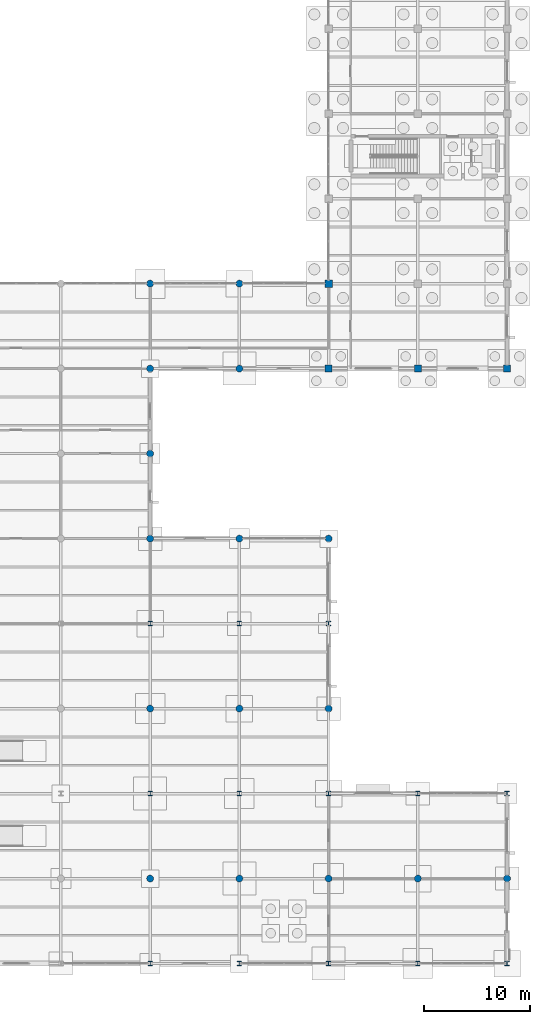
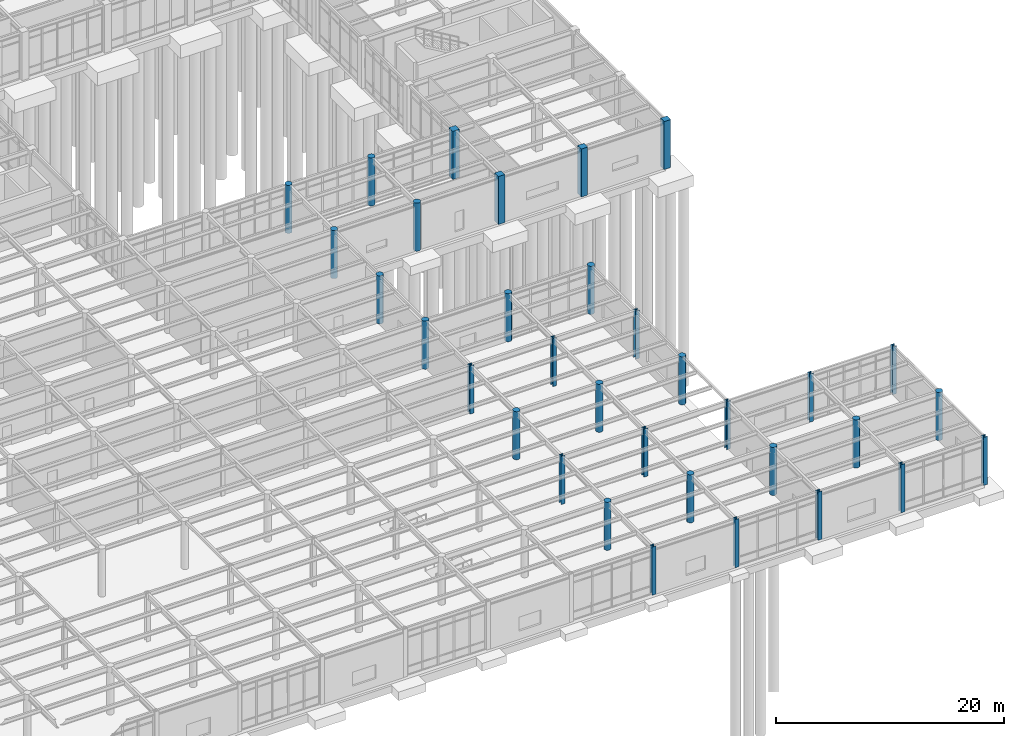
# One storey, part 19 of 138: 33 columns.
"""IFC4 building model written with IfcOpenShell, lengths in metres."""

from ifc_helpers import new_model, si_unit, direction, frame, origin, origin_2d, place, context, subcontext, project, spatial, rectangle, circle, i_section, extrude, material, material_profile, profile_set, type_object, element, save


model = new_model("IFC4")

# Units and contexts
model_context = context("Model", 3, precision=1e-05, world=origin(), true_north=direction((0.0, 1.0)))
body_context = subcontext(model_context, "Body", "Model", "MODEL_VIEW")
ifc_project = project(units=[si_unit("LENGTHUNIT", "METRE"), si_unit("AREAUNIT", "SQUARE_METRE"), si_unit("VOLUMEUNIT", "CUBIC_METRE"), si_unit("PLANEANGLEUNIT", "RADIAN"), si_unit("MASSUNIT", "GRAM", prefix="KILO")], contexts=[model_context])

# Site, building, storey
site_placement = place(None, origin())
site = spatial("IfcSite", under=ifc_project, at=site_placement, CompositionType="ELEMENT")
building_placement = place(site_placement, origin())
building = spatial("IfcBuilding", under=site, at=building_placement, Name="Kranzveld Transit Interchange", CompositionType="ELEMENT")
storey_placement = place(building_placement, origin())
storey = spatial("IfcBuildingStorey", under=building, at=storey_placement, Name="L00", CompositionType="ELEMENT", Elevation=0.0)

# Columns
ifc_material_1 = material(Name="Concrete C35/45", Category="concrete")
ifc_material_profile_1 = material_profile(ifc_material_1, rectangle(XDim=0.64990234375, YDim=0.64990234375, at=origin_2d()), Name="RC 650x650")
ifc_profile_set_1 = profile_set([ifc_material_profile_1], Name="Concrete C35/45")
column_type_1 = type_object("IfcColumnType", Name="Column RC 650x650 C35/45", PredefinedType="COLUMN", material=ifc_profile_set_1)
for number, where, z_axis, x_axis, name in (
    (1, (151.199951171875, 56.0, 0.0), (0.0, 0.0, 1.0), (1.0, 0.0, 0.0), "L00 Column 19/H"),
    (2, (159.60009765625, 56.0, 0.0), (0.0, 0.0, 1.0), (1.0, 0.0, 0.0), "L00 Column 20/H"),
    (3, (168.0, 56.0, 0.0), (0.0, 0.0, 1.0), (1.0, 0.0, 0.0), "L00 Column 21/H"),
):
    element("IfcColumn", number, at=place(storey_placement, frame(where, z_axis=z_axis, x_axis=x_axis)), inside=storey, type_object=column_type_1, Name=name, PredefinedType="COLUMN", context=body_context, shape_type="SweptSolid", body=[
        extrude(rectangle(XDim=0.64990234375, YDim=0.64990234375, at=origin_2d()), origin(), (0.0, 0.0, 1.0), 5.14990234375),
    ])
ifc_material_2 = material(Name="Concrete C35/45", Category="concrete")
ifc_material_profile_2 = material_profile(ifc_material_2, rectangle(XDim=0.699951171875, YDim=0.699951171875, at=origin_2d()), Name="RC 700x700")
ifc_profile_set_2 = profile_set([ifc_material_profile_2], Name="Concrete C35/45")
column_type_2 = type_object("IfcColumnType", Name="Column RC 700x700 C35/45", PredefinedType="COLUMN", material=ifc_profile_set_2)
column_placement = place(storey_placement, frame((151.199951171875, 64.0, 0.0), z_axis=(0.0, 0.0, 1.0), x_axis=(1.0, 0.0, 0.0)))
element("IfcColumn", 4, at=column_placement, inside=storey, type_object=column_type_2, Name="L00 Column 19/J", PredefinedType="COLUMN", context=body_context, shape_type="SweptSolid", body=[
    extrude(rectangle(XDim=0.699951171875, YDim=0.699951171875, at=origin_2d()), origin(), (0.0, 0.0, 1.0), 5.14990234375),
])
ifc_material_3 = material(Name="Concrete C35/45", Category="concrete")
ifc_material_profile_3 = material_profile(ifc_material_3, circle(Radius=0.324951171875, at=origin_2d()), Name="RC DIA 650")
ifc_profile_set_3 = profile_set([ifc_material_profile_3], Name="Concrete C35/45")
column_type_3 = type_object("IfcColumnType", Name="Column RC Dia 650 C35/45", PredefinedType="COLUMN", material=ifc_profile_set_3)
for number, where, z_axis, x_axis, name in (
    (5, (134.39990234375, 8.0, 0.0), (0.0, 0.0, 1.0), (1.0, 0.0, 0.0), "L00 Column 17/B"),
    (6, (134.39990234375, 24.0, 0.0), (0.0, 0.0, 1.0), (1.0, 0.0, 0.0), "L00 Column 17/D"),
    (7, (134.39990234375, 40.0, 0.0), (0.0, 0.0, 1.0), (1.0, 0.0, 0.0), "L00 Column 17/F"),
    (8, (134.39990234375, 48.0, 0.0), (0.0, 0.0, 1.0), (1.0, 0.0, 0.0), "L00 Column 17/G"),
    (9, (134.39990234375, 56.0, 0.0), (0.0, 0.0, 1.0), (1.0, 0.0, 0.0), "L00 Column 17/H"),
    (10, (134.39990234375, 64.0, 0.0), (0.0, 0.0, 1.0), (1.0, 0.0, 0.0), "L00 Column 17/J"),
    (11, (142.800048828125, 8.0, 0.0), (0.0, 0.0, 1.0), (1.0, 0.0, 0.0), "L00 Column 18/B"),
    (12, (142.800048828125, 24.0, 0.0), (0.0, 0.0, 1.0), (1.0, 0.0, 0.0), "L00 Column 18/D"),
    (13, (142.800048828125, 40.0, 0.0), (0.0, 0.0, 1.0), (1.0, 0.0, 0.0), "L00 Column 18/F"),
    (14, (142.800048828125, 56.0, 0.0), (0.0, 0.0, 1.0), (1.0, 0.0, 0.0), "L00 Column 18/H"),
    (15, (142.800048828125, 64.0, 0.0), (0.0, 0.0, 1.0), (1.0, 0.0, 0.0), "L00 Column 18/J"),
    (16, (151.199951171875, 8.0, 0.0), (0.0, 0.0, 1.0), (1.0, 0.0, 0.0), "L00 Column 19/B"),
    (17, (151.199951171875, 24.0, 0.0), (0.0, 0.0, 1.0), (1.0, 0.0, 0.0), "L00 Column 19/D"),
    (18, (151.199951171875, 40.0, 0.0), (0.0, 0.0, 1.0), (1.0, 0.0, 0.0), "L00 Column 19/F"),
    (19, (159.60009765625, 8.0, 0.0), (0.0, 0.0, 1.0), (1.0, 0.0, 0.0), "L00 Column 20/B"),
    (20, (168.0, 8.0, 0.0), (0.0, 0.0, 1.0), (1.0, 0.0, 0.0), "L00 Column 21/B"),
):
    element("IfcColumn", number, at=place(storey_placement, frame(where, z_axis=z_axis, x_axis=x_axis)), inside=storey, type_object=column_type_3, Name=name, PredefinedType="COLUMN", context=body_context, shape_type="SweptSolid", body=[
        extrude(circle(Radius=0.324951171875, at=origin_2d()), origin(), (0.0, 0.0, 1.0), 5.14990234375),
    ])
ifc_material_4 = material(Name="Steel S355JR", Category="steel")
ifc_material_profile_4 = material_profile(ifc_material_4, i_section(OverallWidth=0.39892578125, OverallDepth=0.3935546875, WebThickness=0.022705078125, FlangeThickness=0.03662109375, FilletRadius=0.01513671875, at=origin_2d()), Name="UC 356x406x287")
ifc_profile_set_4 = profile_set([ifc_material_profile_4], Name="Steel S355JR")
column_type_4 = type_object("IfcColumnType", Name="Column Steel UC 356x406x287 S355JR", PredefinedType="COLUMN", material=ifc_profile_set_4)
for number, where, z_axis, x_axis, name in (
    (21, (134.39990234375, 0.0, 0.0), (0.0, 0.0, 1.0), (1.0, 0.0, 0.0), "L00 Column 17/A"),
    (22, (134.39990234375, 16.0, 0.0), (0.0, 0.0, 1.0), (1.0, 0.0, 0.0), "L00 Column 17/C"),
    (23, (134.39990234375, 32.0, 0.0), (0.0, 0.0, 1.0), (1.0, 0.0, 0.0), "L00 Column 17/E"),
    (24, (142.800048828125, 0.0, 0.0), (0.0, 0.0, 1.0), (1.0, 0.0, 0.0), "L00 Column 18/A"),
    (25, (142.800048828125, 16.0, 0.0), (0.0, 0.0, 1.0), (1.0, 0.0, 0.0), "L00 Column 18/C"),
    (26, (142.800048828125, 32.0, 0.0), (0.0, 0.0, 1.0), (1.0, 0.0, 0.0), "L00 Column 18/E"),
    (27, (151.199951171875, 0.0, 0.0), (0.0, 0.0, 1.0), (1.0, 0.0, 0.0), "L00 Column 19/A"),
    (28, (151.199951171875, 16.0, 0.0), (0.0, 0.0, 1.0), (1.0, 0.0, 0.0), "L00 Column 19/C"),
    (29, (151.199951171875, 32.0, 0.0), (0.0, 0.0, 1.0), (1.0, 0.0, 0.0), "L00 Column 19/E"),
    (30, (159.60009765625, 0.0, 0.0), (0.0, 0.0, 1.0), (1.0, 0.0, 0.0), "L00 Column 20/A"),
    (31, (159.60009765625, 16.0, 0.0), (0.0, 0.0, 1.0), (1.0, 0.0, 0.0), "L00 Column 20/C"),
    (32, (168.0, 0.0, 0.0), (0.0, 0.0, 1.0), (1.0, 0.0, 0.0), "L00 Column 21/A"),
    (33, (168.0, 16.0, 0.0), (0.0, 0.0, 1.0), (1.0, 0.0, 0.0), "L00 Column 21/C"),
):
    element("IfcColumn", number, at=place(storey_placement, frame(where, z_axis=z_axis, x_axis=x_axis)), inside=storey, type_object=column_type_4, Name=name, PredefinedType="COLUMN", context=body_context, shape_type="SweptSolid", body=[
        extrude(i_section(OverallWidth=0.39892578125, OverallDepth=0.3935546875, WebThickness=0.022705078125, FlangeThickness=0.03662109375, FilletRadius=0.01513671875, at=origin_2d()), origin(), (0.0, 0.0, 1.0), 5.14990234375),
    ])

save(model, "model.ifc")
